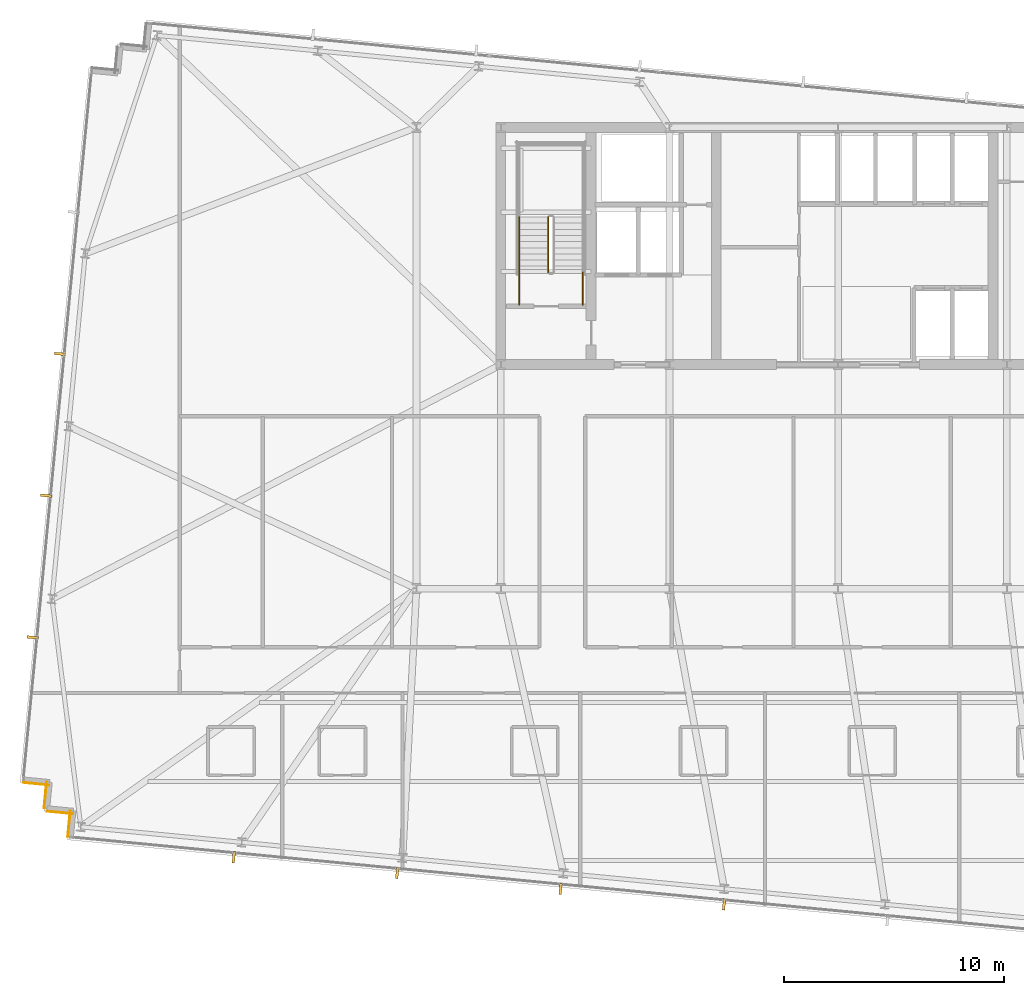
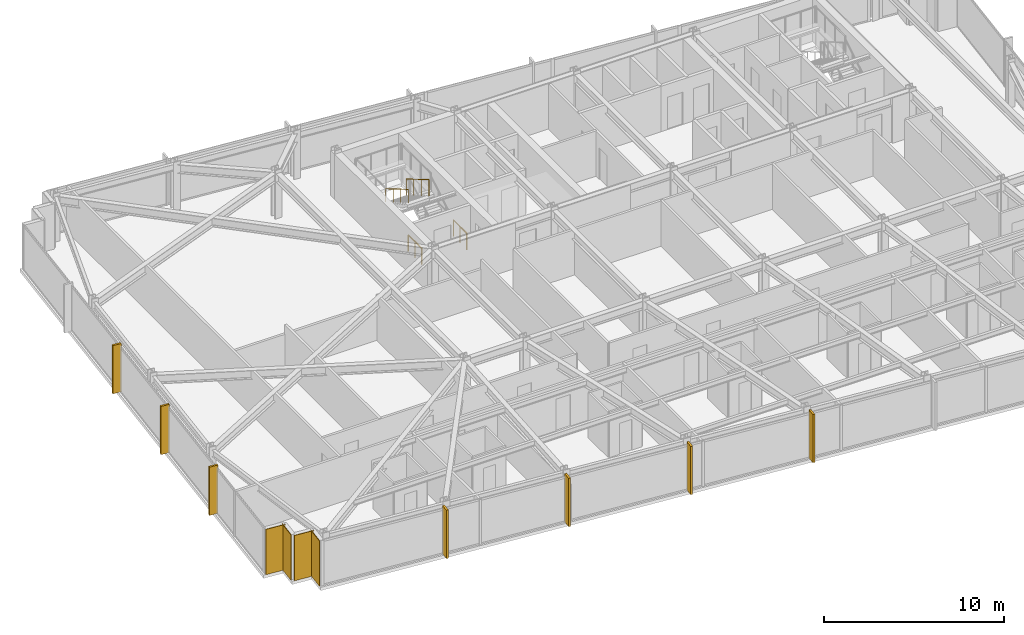
# One storey, part 33 of 38: 7 shading devices, 4 coverings, 4 railings.
"""IFC4 building model written with IfcOpenShell, lengths in metres."""

from ifc_helpers import new_model, si_unit, direction, frame, frame_2d, origin, origin_2d, place, context, subcontext, project, spatial, rectangle, circle, extrude, material, layer, layer_set, type_object, element, save


model = new_model("IFC4")

# Units and contexts
model_context = context("Model", 3, precision=1e-05, world=origin(), true_north=direction((0.0, 1.0)))
body_context = subcontext(model_context, "Body", "Model", "MODEL_VIEW")
ifc_project = project(units=[si_unit("LENGTHUNIT", "METRE"), si_unit("AREAUNIT", "SQUARE_METRE"), si_unit("VOLUMEUNIT", "CUBIC_METRE"), si_unit("PLANEANGLEUNIT", "RADIAN"), si_unit("MASSUNIT", "GRAM", prefix="KILO")], contexts=[model_context])

# Site, building, storey
site_placement = place(None, origin())
site = spatial("IfcSite", under=ifc_project, at=site_placement, CompositionType="ELEMENT")
building_placement = place(site_placement, origin())
building = spatial("IfcBuilding", under=site, at=building_placement, Name="Yelkora Congress Tower", CompositionType="ELEMENT")
storey_placement = place(building_placement, frame((0.0, 0.0, 185.300048828125)))
storey = spatial("IfcBuildingStorey", under=building, at=storey_placement, Name="L51", CompositionType="ELEMENT", Elevation=185.300048828125)

# Coverings
ifc_material_1 = material(Name="Anatolian bush-hammered limestone", Category="masonry")
ifc_layer_1 = layer(ifc_material_1, 0.0400390625)
ifc_layer_set_1 = layer_set([ifc_layer_1], Name="Anatolian bush-hammered limestone")
covering_type = type_object("IfcCoveringType", Name="COV-CLAD-SPANDREL-40", PredefinedType="CLADDING", material=ifc_layer_set_1)
covering_1_placement = place(storey_placement, frame((3.327880859375, 13.90185546875, 0.0), z_axis=(0.0, 0.0, 1.0), x_axis=(0.095817067274, 0.995398960025, 0.0)))
element("IfcCovering", 1, at=covering_1_placement, inside=storey, type_object=covering_type, Name="L51 Anatolian Limestone Cladding EW-L51-SR01", PredefinedType="CLADDING", context=body_context, shape_type="SweptSolid", body=[
    extrude(rectangle(XDim=1.2001953125, YDim=0.0400390625, at=frame_2d((0.60009765625, 0.0))), origin(), (0.0, 0.0, 1.0), 3.079833984375),
])
covering_2_placement = place(storey_placement, frame((3.564208984375, 14.94921875, 0.0), z_axis=(0.0, 0.0, 1.0), x_axis=(-0.995397091755, 0.095836473879, 0.0)))
element("IfcCovering", 2, at=covering_2_placement, inside=storey, type_object=covering_type, Name="L51 Anatolian Limestone Cladding EW-L51-SR02", PredefinedType="CLADDING", context=body_context, shape_type="SweptSolid", body=[
    extrude(rectangle(XDim=1.199951171875, YDim=0.0400390625, at=frame_2d((0.60009765625, 0.0))), origin(), (0.0, 0.0, 1.0), 3.079833984375),
])
for number, where, z_axis, x_axis, name in (
    (3, (2.248291015625, 15.21142578125, 0.0), (0.0, 0.0, 1.0), (0.095817067274, 0.995398960025, 0.0), "L51 Anatolian Limestone Cladding EW-L51-SR03"),
    (4, (2.48486328125, 16.258544921875, 0.0), (0.0, 0.0, 1.0), (-0.995398960025, 0.095817067274, 0.0), "L51 Anatolian Limestone Cladding EW-L51-SR04"),
):
    element("IfcCovering", number, at=place(storey_placement, frame(where, z_axis=z_axis, x_axis=x_axis)), inside=storey, type_object=covering_type, Name=name, PredefinedType="CLADDING", context=body_context, shape_type="SweptSolid", body=[
        extrude(rectangle(XDim=1.2001953125, YDim=0.0400390625, at=frame_2d((0.60009765625, 0.0))), origin(), (0.0, 0.0, 1.0), 3.079833984375),
    ])

# Railings
ifc_material_2 = material(Name="Painted galvanised steel stair well guard with vertical infill", Category="steel")
ifc_layer_2 = layer(ifc_material_2, 0.06005859375)
ifc_layer_set_2 = layer_set([ifc_layer_2], Name="Painted galvanised steel stair well guard with vertical infill")
railing_type_1 = type_object("IfcRailingType", Name="RAIL-STAIR-GUARD-1120", PredefinedType="GUARDRAIL", material=ifc_layer_set_2)
railing_1_placement = place(storey_placement, frame((25.18994140625, 42.1201171875, 1.81494140625)))
element("IfcRailing", 5, at=railing_1_placement, inside=storey, type_object=railing_type_1, Name="ST-01 L51 Stair Well Guardrail 6", PredefinedType="GUARDRAIL", context=body_context, shape_type="SweptSolid", body=[
    extrude(circle(Radius=0.02392578125, at=origin_2d()), frame((0.0, 0.0, 1.09619140625), z_axis=(0.0, -0.86152411907, 0.507716645641), x_axis=(1.0, 0.0, 0.0)), (0.0, 0.0, 1.0), 2.925048828125),
    extrude(circle(Radius=0.02099609375, at=origin_2d()), origin(), (0.0, 0.0, 1.0), 1.072021484375),
    extrude(circle(Radius=0.02099609375, at=origin_2d()), frame((0.0, -0.840087890625, 0.4951171875)), (0.0, 0.0, 1.0), 1.072021484375),
    extrude(circle(Radius=0.02099609375, at=origin_2d()), frame((0.0, -1.679931640625, 0.989990234375)), (0.0, 0.0, 1.0), 1.072021484375),
    extrude(circle(Radius=0.02099609375, at=origin_2d()), frame((0.0, -2.52001953125, 1.485107421875)), (0.0, 0.0, 1.0), 1.072021484375),
])
for number, where, name in (
    (6, (26.77001953125, 38.1201171875, 0.0), "ST-01 L51 Stair Well Guardrail 8"),
    (7, (23.8701171875, 38.1201171875, 0.0), "ST-01 L51 Stair Well Guardrail 9"),
):
    element("IfcRailing", number, at=place(storey_placement, frame(where)), inside=storey, type_object=railing_type_1, Name=name, PredefinedType="GUARDRAIL", context=body_context, shape_type="SweptSolid", body=[
        extrude(circle(Radius=0.02392578125, at=origin_2d()), frame((0.0, 0.0, 1.09619140625), z_axis=(0.0, 1.0, 0.0), x_axis=(-1.0, 0.0, 0.0)), (0.0, 0.0, 1.0), 1.47998046875),
        extrude(circle(Radius=0.02099609375, at=origin_2d()), origin(), (0.0, 0.0, 1.0), 1.072021484375),
        extrude(circle(Radius=0.02099609375, at=origin_2d()), frame((0.0, 0.739990234375, 0.0)), (0.0, 0.0, 1.0), 1.072021484375),
        extrude(circle(Radius=0.02099609375, at=origin_2d()), frame((0.0, 1.47998046875, 0.0)), (0.0, 0.0, 1.0), 1.072021484375),
    ])
ifc_material_3 = material(Name="Brushed stainless steel tubular handrail", Category="steel")
ifc_layer_3 = layer(ifc_material_3, 0.050048828125)
ifc_layer_set_3 = layer_set([ifc_layer_3], Name="Brushed stainless steel tubular handrail")
railing_type_2 = type_object("IfcRailingType", Name="RAIL-STAIR-HAND-920", PredefinedType="HANDRAIL", material=ifc_layer_set_3)
railing_2_placement = place(storey_placement, frame((23.8701171875, 42.1201171875, 1.81494140625)))
element("IfcRailing", 8, at=railing_2_placement, inside=storey, type_object=railing_type_2, Name="ST-01 L51 Pitch Handrail 2", PredefinedType="HANDRAIL", context=body_context, shape_type="SweptSolid", body=[
    extrude(circle(Radius=0.02392578125, at=origin_2d()), frame((0.0, 0.0, 0.89599609375), z_axis=(0.0, -0.86152411907, 0.507716645641), x_axis=(1.0, 0.0, 0.0)), (0.0, 0.0, 1.0), 2.925048828125),
    extrude(circle(Radius=0.02099609375, at=origin_2d()), origin(), (0.0, 0.0, 1.0), 0.871826171875),
    extrude(circle(Radius=0.02099609375, at=origin_2d()), frame((0.0, -0.840087890625, 0.4951171875)), (0.0, 0.0, 1.0), 0.871826171875),
    extrude(circle(Radius=0.02099609375, at=origin_2d()), frame((0.0, -1.679931640625, 0.989990234375)), (0.0, 0.0, 1.0), 0.871826171875),
    extrude(circle(Radius=0.02099609375, at=origin_2d()), frame((0.0, -2.52001953125, 1.485107421875)), (0.0, 0.0, 1.0), 0.871826171875),
])

# Shading devices
ifc_material_4 = material(Name="Champagne anodised aluminium", Category="aluminium")
ifc_layer_4 = layer(ifc_material_4, 3.300048828125)
ifc_layer_set_4 = layer_set([ifc_layer_4], Name="Champagne anodised aluminium")
shading_device_type = type_object("IfcShadingDeviceType", Name="SHD-FIN-ALU-520", PredefinedType="USERDEFINED", material=ifc_layer_set_4)
for number, where, z_axis, x_axis, name in (
    (9, (1.7255859375, 22.981201171875, -0.0302734375), (0.0, 0.0, 1.0), (0.09584575252, 0.995396198367, 0.0), "L51 Vertical Anodised Solar Fin 5-1"),
    (10, (2.34716796875, 29.435302734375, -0.0302734375), (0.0, 0.0, 1.0), (0.09584575252, 0.995396198367, 0.0), "L51 Vertical Anodised Solar Fin 5-2"),
    (11, (2.968505859375, 35.889404296875, -0.0302734375), (0.0, 0.0, 1.0), (0.09584575252, 0.995396198367, 0.0), "L51 Vertical Anodised Solar Fin 5-3"),
    (12, (33.202392578125, 10.82421875, -0.0302734375), (0.0, 0.0, 1.0), (-0.995396198367, 0.09584575252, 0.0), "L51 Vertical Anodised Solar Fin 20-3"),
    (13, (25.7626953125, 11.540771484375, -0.0302734375), (0.0, 0.0, 1.0), (-0.995396198367, 0.09584575252, 0.0), "L51 Vertical Anodised Solar Fin 20-4"),
    (14, (18.32275390625, 12.257080078125, -0.0302734375), (0.0, 0.0, 1.0), (-0.995396198367, 0.09584575252, 0.0), "L51 Vertical Anodised Solar Fin 20-5"),
    (15, (10.8828125, 12.973388671875, -0.0302734375), (0.0, 0.0, 1.0), (-0.995396198367, 0.09584575252, 0.0), "L51 Vertical Anodised Solar Fin 20-6"),
):
    element("IfcShadingDevice", number, at=place(storey_placement, frame(where, z_axis=z_axis, x_axis=x_axis)), inside=storey, type_object=shading_device_type, Name=name, ObjectType="FIN", PredefinedType="USERDEFINED", context=body_context, shape_type="SweptSolid", body=[
        extrude(rectangle(XDim=0.1201171875, YDim=0.52001953125, at=origin_2d()), origin(), (0.0, 0.0, 1.0), 3.280029296875),
    ])

save(model, "model.ifc")
